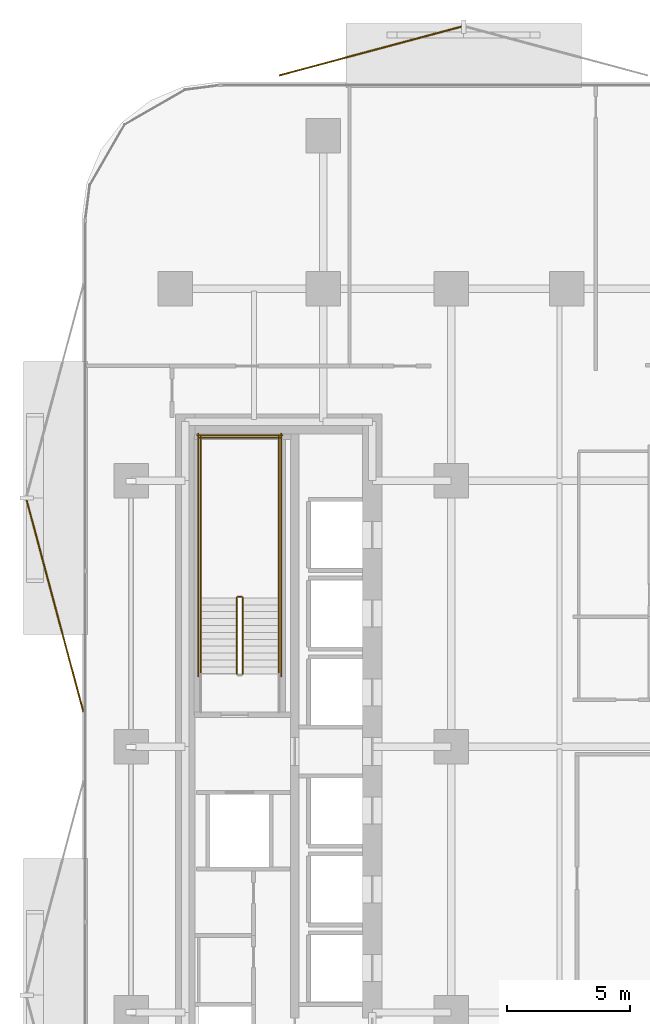
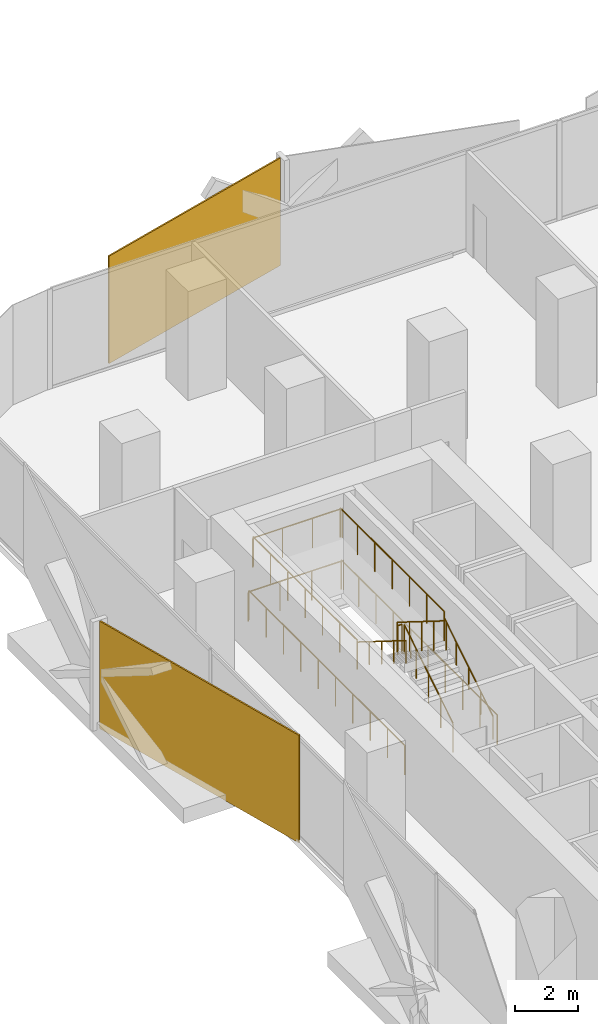
# One storey, part 15 of 16: 11 railings, 2 coverings.
"""IFC4 building model written with IfcOpenShell, lengths in metres."""

from ifc_helpers import new_model, si_unit, direction, frame, origin, origin_2d, place, context, subcontext, project, spatial, rectangle, circle, extrude, material, layer, layer_set, type_object, element, save


model = new_model("IFC4")

# Units and contexts
model_context = context("Model", 3, precision=1e-05, world=origin(), true_north=direction((0.0, 1.0)))
body_context = subcontext(model_context, "Body", "Model", "MODEL_VIEW")
ifc_project = project(units=[si_unit("LENGTHUNIT", "METRE"), si_unit("AREAUNIT", "SQUARE_METRE"), si_unit("VOLUMEUNIT", "CUBIC_METRE"), si_unit("PLANEANGLEUNIT", "RADIAN"), si_unit("MASSUNIT", "GRAM", prefix="KILO")], contexts=[model_context])

# Site, building, storey
site_placement = place(None, origin())
site = spatial("IfcSite", under=ifc_project, at=site_placement, CompositionType="ELEMENT")
building_placement = place(site_placement, origin())
building = spatial("IfcBuilding", under=site, at=building_placement, Name="Khairoan Windgate Tower", CompositionType="ELEMENT")
storey_placement = place(building_placement, frame((0.0, 0.0, 80.60009765625)))
storey = spatial("IfcBuildingStorey", under=building, at=storey_placement, Name="L19", CompositionType="ELEMENT", Elevation=80.60009765625)

# Coverings
ifc_material_1 = material(Name="Anodised Bronze Aluminium 6063-T6", Category="aluminium")
ifc_layer = layer(ifc_material_1, 0.054931640625, Name="Anodised Bronze Aluminium 6063-T6")
ifc_layer_set = layer_set([ifc_layer], Name="Anodised Bronze Aluminium 6063-T6")
covering_type = type_object("IfcCoveringType", Name="Perforated Bronze-Ceramic Folded Solar Screen Cladding BSC-1", PredefinedType="CLADDING", material=ifc_layer_set)
covering_1_placement = place(storey_placement, frame((-25.290283203125, 5.71484375, -0.10009765625), z_axis=(0.0, 0.0, 1.0), x_axis=(-0.258819045103, 0.965925826289, 0.0)))
element("IfcCovering", 1, at=covering_1_placement, inside=storey, type_object=covering_type, Name="L19 Folded Bronze Solar Screen Facet 108L", PredefinedType="CLADDING", context=body_context, shape_type="SweptSolid", body=[
    extrude(rectangle(XDim=8.884033203125, YDim=0.054931640625, at=origin_2d()), origin(), (0.0, 0.0, 1.0), 4.139892578125),
])
covering_2_placement = place(storey_placement, frame((-12.48095703125, 28.249755859375, -0.10009765625), z_axis=(0.0, 0.0, 1.0), x_axis=(0.965925826289, 0.258819045103, 0.0)))
element("IfcCovering", 2, at=covering_2_placement, inside=storey, type_object=covering_type, Name="L19 Folded Bronze Solar Screen Facet 109L", PredefinedType="CLADDING", context=body_context, shape_type="SweptSolid", body=[
    extrude(rectangle(XDim=7.652099609375, YDim=0.054931640625, at=origin_2d()), origin(), (0.0, 0.0, 1.0), 4.139892578125),
])

# Railings
ifc_material_2 = material(Name="Anodised Bronze Aluminium 6063-T6", Category="aluminium")
railing_type_1 = type_object("IfcRailingType", Name="Stair Wall Handrail SHR-900", PredefinedType="HANDRAIL", material=ifc_material_2)
railing_1_placement = place(storey_placement, frame((-16.199951171875, 2.9599609375, 0.1748046875)))
element("IfcRailing", 3, at=railing_1_placement, inside=storey, type_object=railing_type_1, Name="L19 ST2 stair handrail 1", PredefinedType="HANDRAIL", context=body_context, shape_type="SweptSolid", body=[
    extrude(circle(Radius=0.02392578125, at=origin_2d()), frame((0.0, 0.0, 0.8759765625), z_axis=(0.0, 0.847998304005, 0.529998940003), x_axis=(-1.0, 0.0, 0.0)), (0.0, 0.0, 1.0), 3.632080078125),
    extrude(circle(Radius=0.02099609375, at=origin_2d()), origin(), (0.0, 0.0, 1.0), 0.851806640625),
    extrude(circle(Radius=0.02099609375, at=origin_2d()), frame((0.0, 0.77001953125, 0.481201171875)), (0.0, 0.0, 1.0), 0.851806640625),
    extrude(circle(Radius=0.02099609375, at=origin_2d()), frame((0.0, 1.5400390625, 0.96240234375)), (0.0, 0.0, 1.0), 0.851806640625),
    extrude(circle(Radius=0.02099609375, at=origin_2d()), frame((0.0, 2.31005859375, 1.44384765625)), (0.0, 0.0, 1.0), 0.851806640625),
    extrude(circle(Radius=0.02099609375, at=origin_2d()), frame((0.0, 3.080078125, 1.925048828125)), (0.0, 0.0, 1.0), 0.851806640625),
])
railing_2_placement = place(storey_placement, frame((-19.3701171875, 6.0400390625, 2.27490234375)))
element("IfcRailing", 4, at=railing_2_placement, inside=storey, type_object=railing_type_1, Name="L19 ST2 stair handrail 2", PredefinedType="HANDRAIL", context=body_context, shape_type="SweptSolid", body=[
    extrude(circle(Radius=0.02392578125, at=origin_2d()), frame((0.0, 0.0, 0.8759765625), z_axis=(0.0, -0.847998304005, 0.529998940003), x_axis=(1.0, 0.0, 0.0)), (0.0, 0.0, 1.0), 3.632080078125),
    extrude(circle(Radius=0.02099609375, at=origin_2d()), origin(), (0.0, 0.0, 1.0), 0.851806640625),
    extrude(circle(Radius=0.02099609375, at=origin_2d()), frame((0.0, -0.77001953125, 0.481201171875)), (0.0, 0.0, 1.0), 0.851806640625),
    extrude(circle(Radius=0.02099609375, at=origin_2d()), frame((0.0, -1.5400390625, 0.96240234375)), (0.0, 0.0, 1.0), 0.851806640625),
    extrude(circle(Radius=0.02099609375, at=origin_2d()), frame((0.0, -2.31005859375, 1.44384765625)), (0.0, 0.0, 1.0), 0.851806640625),
    extrude(circle(Radius=0.02099609375, at=origin_2d()), frame((0.0, -3.080078125, 1.925048828125)), (0.0, 0.0, 1.0), 0.851806640625),
])
ifc_material_3 = material(Name="Steel S355", Category="steel")
railing_type_2 = type_object("IfcRailingType", Name="Stairwell Safety Guardrail SGR-1150", PredefinedType="GUARDRAIL", material=ifc_material_3)
railing_3_placement = place(storey_placement, frame((-17.659912109375, 2.9599609375, 0.1748046875)))
element("IfcRailing", 5, at=railing_3_placement, inside=storey, type_object=railing_type_2, Name="L19 ST2 stair guard 1", PredefinedType="GUARDRAIL", context=body_context, shape_type="SweptSolid", body=[
    extrude(circle(Radius=0.02392578125, at=origin_2d()), frame((0.0, 0.0, 1.1259765625), z_axis=(0.0, 0.847998304005, 0.529998940003), x_axis=(-1.0, 0.0, 0.0)), (0.0, 0.0, 1.0), 3.632080078125),
    extrude(circle(Radius=0.02099609375, at=origin_2d()), origin(), (0.0, 0.0, 1.0), 1.101806640625),
    extrude(circle(Radius=0.02099609375, at=origin_2d()), frame((0.0, 0.77001953125, 0.481201171875)), (0.0, 0.0, 1.0), 1.101806640625),
    extrude(circle(Radius=0.02099609375, at=origin_2d()), frame((0.0, 1.5400390625, 0.96240234375)), (0.0, 0.0, 1.0), 1.101806640625),
    extrude(circle(Radius=0.02099609375, at=origin_2d()), frame((0.0, 2.31005859375, 1.44384765625)), (0.0, 0.0, 1.0), 1.101806640625),
    extrude(circle(Radius=0.02099609375, at=origin_2d()), frame((0.0, 3.080078125, 1.925048828125)), (0.0, 0.0, 1.0), 1.101806640625),
])
railing_4_placement = place(storey_placement, frame((-17.7099609375, 6.090087890625, 2.099853515625)))
element("IfcRailing", 6, at=railing_4_placement, inside=storey, type_object=railing_type_2, Name="L19 ST2 stair guard 2", PredefinedType="GUARDRAIL", context=body_context, shape_type="SweptSolid", body=[
    extrude(circle(Radius=0.02392578125, at=origin_2d()), frame((0.0, 0.0, 1.1259765625), z_axis=(-1.0, 0.0, 0.0), x_axis=(0.0, -1.0, 0.0)), (0.0, 0.0, 1.0), 0.150146484375),
    extrude(circle(Radius=0.02099609375, at=origin_2d()), origin(), (0.0, 0.0, 1.0), 1.101806640625),
    extrude(circle(Radius=0.02099609375, at=origin_2d()), frame((-0.150146484375, 0.0, 0.0)), (0.0, 0.0, 1.0), 1.101806640625),
])
for number, where, name in (
    (7, (-16.199951171875, 6.0400390625, 2.099853515625), "L19 ST2 stair guard 3"),
    (8, (-19.3701171875, 6.0400390625, 2.099853515625), "L19 ST2 stair guard 4"),
):
    element("IfcRailing", number, at=place(storey_placement, frame(where)), inside=storey, type_object=railing_type_2, Name=name, PredefinedType="GUARDRAIL", context=body_context, shape_type="SweptSolid", body=[
        extrude(circle(Radius=0.02392578125, at=origin_2d()), frame((0.0, 0.0, 1.1259765625), z_axis=(0.0, 1.0, 0.0), x_axis=(-1.0, 0.0, 0.0)), (0.0, 0.0, 1.0), 6.56005859375),
        extrude(circle(Radius=0.02099609375, at=origin_2d()), origin(), (0.0, 0.0, 1.0), 1.101806640625),
        extrude(circle(Radius=0.02099609375, at=origin_2d()), frame((0.0, 1.09326171875, 0.0)), (0.0, 0.0, 1.0), 1.101806640625),
        extrude(circle(Radius=0.02099609375, at=origin_2d()), frame((0.0, 2.186767578125, 0.0)), (0.0, 0.0, 1.0), 1.101806640625),
        extrude(circle(Radius=0.02099609375, at=origin_2d()), frame((0.0, 3.280029296875, 0.0)), (0.0, 0.0, 1.0), 1.101806640625),
        extrude(circle(Radius=0.02099609375, at=origin_2d()), frame((0.0, 4.373291015625, 0.0)), (0.0, 0.0, 1.0), 1.101806640625),
        extrude(circle(Radius=0.02099609375, at=origin_2d()), frame((0.0, 5.466796875, 0.0)), (0.0, 0.0, 1.0), 1.101806640625),
        extrude(circle(Radius=0.02099609375, at=origin_2d()), frame((0.0, 6.56005859375, 0.0)), (0.0, 0.0, 1.0), 1.101806640625),
    ])
railing_5_placement = place(storey_placement, frame((-16.14990234375, 12.550048828125, 2.099853515625)))
element("IfcRailing", 9, at=railing_5_placement, inside=storey, type_object=railing_type_2, Name="L19 ST2 stair guard 5", PredefinedType="GUARDRAIL", context=body_context, shape_type="SweptSolid", body=[
    extrude(circle(Radius=0.02392578125, at=origin_2d()), frame((0.0, 0.0, 1.1259765625), z_axis=(-1.0, 0.0, 0.0), x_axis=(0.0, -1.0, 0.0)), (0.0, 0.0, 1.0), 3.27001953125),
    extrude(circle(Radius=0.02099609375, at=origin_2d()), origin(), (0.0, 0.0, 1.0), 1.101806640625),
    extrude(circle(Radius=0.02099609375, at=origin_2d()), frame((-1.090087890625, 0.0, 0.0)), (0.0, 0.0, 1.0), 1.101806640625),
    extrude(circle(Radius=0.02099609375, at=origin_2d()), frame((-2.179931640625, 0.0, 0.0)), (0.0, 0.0, 1.0), 1.101806640625),
    extrude(circle(Radius=0.02099609375, at=origin_2d()), frame((-3.27001953125, 0.0, 0.0)), (0.0, 0.0, 1.0), 1.101806640625),
])
railing_6_placement = place(storey_placement, frame((-17.909912109375, 6.0400390625, 2.27490234375)))
element("IfcRailing", 10, at=railing_6_placement, inside=storey, type_object=railing_type_2, Name="L19 ST2 stair guard 6", PredefinedType="GUARDRAIL", context=body_context, shape_type="SweptSolid", body=[
    extrude(circle(Radius=0.02392578125, at=origin_2d()), frame((0.0, 0.0, 1.1259765625), z_axis=(0.0, -0.847998304005, 0.529998940003), x_axis=(1.0, 0.0, 0.0)), (0.0, 0.0, 1.0), 3.632080078125),
    extrude(circle(Radius=0.02099609375, at=origin_2d()), origin(), (0.0, 0.0, 1.0), 1.101806640625),
    extrude(circle(Radius=0.02099609375, at=origin_2d()), frame((0.0, -0.77001953125, 0.481201171875)), (0.0, 0.0, 1.0), 1.101806640625),
    extrude(circle(Radius=0.02099609375, at=origin_2d()), frame((0.0, -1.5400390625, 0.96240234375)), (0.0, 0.0, 1.0), 1.101806640625),
    extrude(circle(Radius=0.02099609375, at=origin_2d()), frame((0.0, -2.31005859375, 1.44384765625)), (0.0, 0.0, 1.0), 1.101806640625),
    extrude(circle(Radius=0.02099609375, at=origin_2d()), frame((0.0, -3.080078125, 1.925048828125)), (0.0, 0.0, 1.0), 1.101806640625),
])
for number, where, name in (
    (11, (-16.10009765625, 2.860107421875, 0.0), "L19 ST2 stair guard 10"),
    (12, (-19.469970703125, 2.860107421875, 0.0), "L19 ST2 stair guard 11"),
):
    element("IfcRailing", number, at=place(storey_placement, frame(where)), inside=storey, type_object=railing_type_2, Name=name, PredefinedType="GUARDRAIL", context=body_context, shape_type="SweptSolid", body=[
        extrude(circle(Radius=0.02392578125, at=origin_2d()), frame((0.0, 0.0, 1.1259765625), z_axis=(0.0, 1.0, 0.0), x_axis=(-1.0, 0.0, 0.0)), (0.0, 0.0, 1.0), 9.83984375),
        extrude(circle(Radius=0.02099609375, at=origin_2d()), origin(), (0.0, 0.0, 1.0), 1.101806640625),
        extrude(circle(Radius=0.02099609375, at=origin_2d()), frame((0.0, 1.09326171875, 0.0)), (0.0, 0.0, 1.0), 1.101806640625),
        extrude(circle(Radius=0.02099609375, at=origin_2d()), frame((0.0, 2.1865234375, 0.0)), (0.0, 0.0, 1.0), 1.101806640625),
        extrude(circle(Radius=0.02099609375, at=origin_2d()), frame((0.0, 3.280029296875, 0.0)), (0.0, 0.0, 1.0), 1.101806640625),
        extrude(circle(Radius=0.02099609375, at=origin_2d()), frame((0.0, 4.373291015625, 0.0)), (0.0, 0.0, 1.0), 1.101806640625),
        extrude(circle(Radius=0.02099609375, at=origin_2d()), frame((0.0, 5.466552734375, 0.0)), (0.0, 0.0, 1.0), 1.101806640625),
        extrude(circle(Radius=0.02099609375, at=origin_2d()), frame((0.0, 6.559814453125, 0.0)), (0.0, 0.0, 1.0), 1.101806640625),
        extrude(circle(Radius=0.02099609375, at=origin_2d()), frame((0.0, 7.6533203125, 0.0)), (0.0, 0.0, 1.0), 1.101806640625),
        extrude(circle(Radius=0.02099609375, at=origin_2d()), frame((0.0, 8.74658203125, 0.0)), (0.0, 0.0, 1.0), 1.101806640625),
        extrude(circle(Radius=0.02099609375, at=origin_2d()), frame((0.0, 9.83984375, 0.0)), (0.0, 0.0, 1.0), 1.101806640625),
    ])
railing_7_placement = place(storey_placement, frame((-16.050048828125, 12.64990234375, 0.0)))
element("IfcRailing", 13, at=railing_7_placement, inside=storey, type_object=railing_type_2, Name="L19 ST2 stair guard 12", PredefinedType="GUARDRAIL", context=body_context, shape_type="SweptSolid", body=[
    extrude(circle(Radius=0.02392578125, at=origin_2d()), frame((0.0, 0.0, 1.1259765625), z_axis=(-1.0, 0.0, 0.0), x_axis=(0.0, -1.0, 0.0)), (0.0, 0.0, 1.0), 3.469970703125),
    extrude(circle(Radius=0.02099609375, at=origin_2d()), origin(), (0.0, 0.0, 1.0), 1.101806640625),
    extrude(circle(Radius=0.02099609375, at=origin_2d()), frame((-1.15673828125, 0.0, 0.0)), (0.0, 0.0, 1.0), 1.101806640625),
    extrude(circle(Radius=0.02099609375, at=origin_2d()), frame((-2.313232421875, 0.0, 0.0)), (0.0, 0.0, 1.0), 1.101806640625),
    extrude(circle(Radius=0.02099609375, at=origin_2d()), frame((-3.469970703125, 0.0, 0.0)), (0.0, 0.0, 1.0), 1.101806640625),
])

save(model, "model.ifc")
